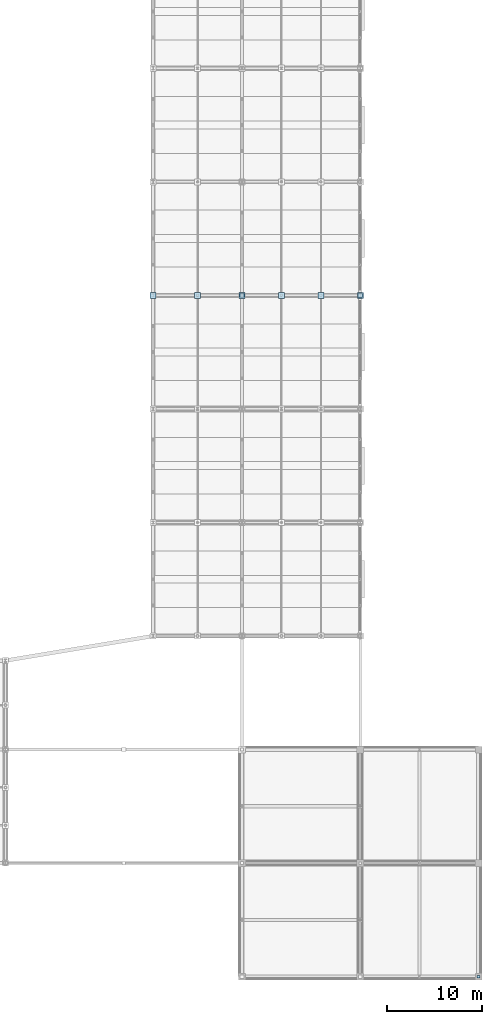
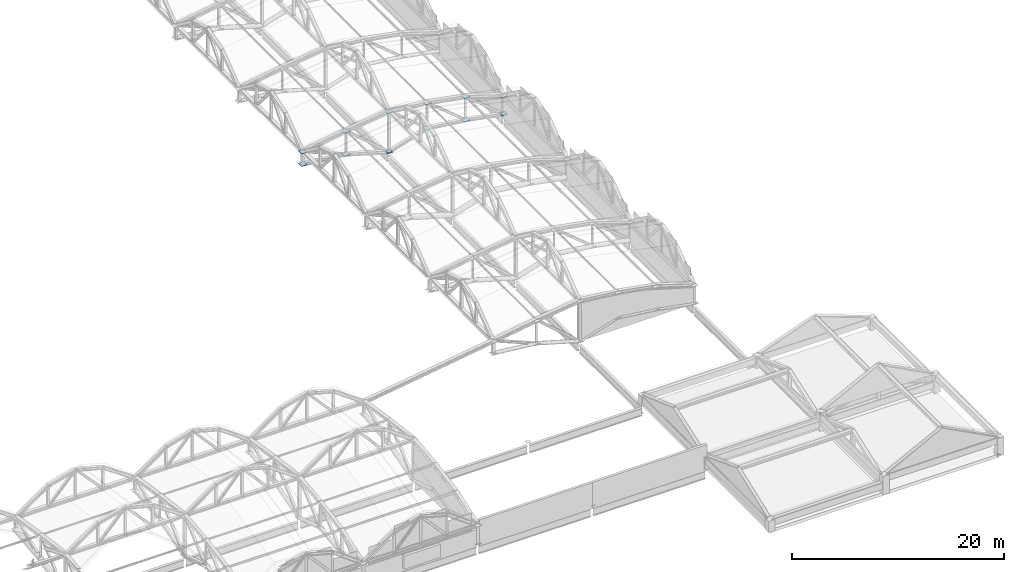
# One storey, part 104 of 117: 15 plates.
"""IFC4 building model written with IfcOpenShell, lengths in metres."""

from ifc_helpers import new_model, si_unit, direction, frame, origin, origin_2d, place, context, subcontext, project, spatial, rectangle, extrude, material, layer, layer_set, type_object, element, save


model = new_model("IFC4")

# Units and contexts
model_context = context("Model", 3, precision=1e-05, world=origin(), true_north=direction((0.0, 1.0)))
body_context = subcontext(model_context, "Body", "Model", "MODEL_VIEW")
ifc_project = project(units=[si_unit("LENGTHUNIT", "METRE"), si_unit("AREAUNIT", "SQUARE_METRE"), si_unit("VOLUMEUNIT", "CUBIC_METRE"), si_unit("PLANEANGLEUNIT", "RADIAN"), si_unit("MASSUNIT", "GRAM", prefix="KILO")], contexts=[model_context])

# Site, building, storey
site_placement = place(None, origin())
site = spatial("IfcSite", under=ifc_project, at=site_placement, CompositionType="ELEMENT")
building_placement = place(site_placement, origin())
building = spatial("IfcBuilding", under=site, at=building_placement, Name="Kazenohara Klinker Stadium", CompositionType="ELEMENT")
storey_placement = place(building_placement, frame((0.0, 0.0, 31.199951171875)))
storey = spatial("IfcBuildingStorey", under=building, at=storey_placement, Name="RF", CompositionType="ELEMENT", Elevation=31.199951171875)

# Plates
ifc_material = material(Name="Steel S355", Category="steel")
ifc_layer_1 = layer(ifc_material, 0.02001953125)
ifc_layer_set_1 = layer_set([ifc_layer_1], Name="Steel S355")
plate_type_1 = type_object("IfcPlateType", Name="PLT-GP01", PredefinedType="USERDEFINED", material=ifc_layer_set_1)
plate_1_placement = place(storey_placement, frame((187.5, 84.0, -0.010009765625), z_axis=(0.0, 0.0, 1.0), x_axis=(1.0, 0.0, 0.0)))
element("IfcPlate", 1, at=plate_1_placement, inside=storey, type_object=plate_type_1, Name="Hollow column end-cap plate GP01 RF 16/H", ObjectType="GUSSET PLATE", PredefinedType="USERDEFINED", context=body_context, shape_type="SweptSolid", body=[
    extrude(rectangle(XDim=0.43994140625, YDim=0.43994140625, at=origin_2d()), origin(), (0.0, 0.0, 1.0), 0.02001953125),
])
plate_2_placement = place(storey_placement, frame((200.0, 12.0, -0.010009765625), z_axis=(0.0, 0.0, 1.0), x_axis=(1.0, 0.0, 0.0)))
element("IfcPlate", 2, at=plate_2_placement, inside=storey, type_object=plate_type_1, Name="Hollow column end-cap plate GP01 RF 17/B", ObjectType="GUSSET PLATE", PredefinedType="USERDEFINED", context=body_context, shape_type="SweptSolid", body=[
    extrude(rectangle(XDim=0.2900390625, YDim=0.2900390625, at=origin_2d()), origin(), (0.0, 0.0, 1.0), 0.02001953125),
])
for number, where, z_axis, x_axis, name in (
    (3, (179.166748046875, 84.0, 1.239990234375), (0.0, 0.0, 1.0), (1.0, 0.0, 0.0), "ROOF TRUSS RT-E04 node gusset plate BN3"),
    (4, (179.166748046875, 84.0, 4.18994140625), (0.0, 0.0, 1.0), (1.0, 0.0, 0.0), "ROOF TRUSS RT-E04 node gusset plate TN3"),
):
    element("IfcPlate", number, at=place(storey_placement, frame(where, z_axis=z_axis, x_axis=x_axis)), inside=storey, type_object=plate_type_1, Name=name, ObjectType="GUSSET PLATE", PredefinedType="USERDEFINED", context=body_context, shape_type="SweptSolid", body=[
        extrude(rectangle(XDim=0.639892578125, YDim=0.639892578125, at=origin_2d()), origin(), (0.0, 0.0, 1.0), 0.02001953125),
    ])
ifc_layer_2 = layer(ifc_material, 0.02197265625)
ifc_layer_set_2 = layer_set([ifc_layer_2], Name="Steel S355")
plate_type_2 = type_object("IfcPlateType", Name="PLT-GP02", PredefinedType="USERDEFINED", material=ifc_layer_set_2)
plate_3_placement = place(storey_placement, frame((175.0, 84.0, -0.010986328125), z_axis=(0.0, 0.0, 1.0), x_axis=(1.0, 0.0, 0.0)))
element("IfcPlate", 5, at=plate_3_placement, inside=storey, type_object=plate_type_2, Name="Hollow column end-cap plate GP02 RF 15/H", ObjectType="GUSSET PLATE", PredefinedType="USERDEFINED", context=body_context, shape_type="SweptSolid", body=[
    extrude(rectangle(XDim=0.389892578125, YDim=0.389892578125, at=origin_2d()), origin(), (0.0, 0.0, 1.0), 0.02197265625),
])
for number, where, z_axis, x_axis, name in (
    (6, (175.0, 84.0, -0.031005859375), (0.0, 0.0, 1.0), (1.0, 0.0, 0.0), "ROOF TRUSS RT-E04 node gusset plate BN4"),
    (7, (175.0, 84.0, 4.63916015625), (0.0, 0.0, 1.0), (1.0, 0.0, 0.0), "ROOF TRUSS RT-E04 node gusset plate TN4"),
):
    element("IfcPlate", number, at=place(storey_placement, frame(where, z_axis=z_axis, x_axis=x_axis)), inside=storey, type_object=plate_type_2, Name=name, ObjectType="GUSSET PLATE", PredefinedType="USERDEFINED", context=body_context, shape_type="SweptSolid", body=[
        extrude(rectangle(XDim=0.639892578125, YDim=0.639892578125, at=origin_2d()), origin(), (0.0, 0.0, 1.0), 0.02197265625),
    ])
ifc_layer_3 = layer(ifc_material, 0.02392578125)
ifc_layer_set_3 = layer_set([ifc_layer_3], Name="Steel S355")
plate_type_3 = type_object("IfcPlateType", Name="PLT-GP03", PredefinedType="USERDEFINED", material=ifc_layer_set_3)
for number, where, z_axis, x_axis, name in (
    (8, (170.300048828125, 84.0, 1.338134765625), (0.0, 0.0, 1.0), (1.0, 0.0, 0.0), "ROOF TRUSS RT-E04 node gusset plate BN5"),
    (9, (170.300048828125, 84.0, 4.0380859375), (0.0, 0.0, 1.0), (1.0, 0.0, 0.0), "ROOF TRUSS RT-E04 node gusset plate TN5"),
):
    element("IfcPlate", number, at=place(storey_placement, frame(where, z_axis=z_axis, x_axis=x_axis)), inside=storey, type_object=plate_type_3, Name=name, ObjectType="GUSSET PLATE", PredefinedType="USERDEFINED", context=body_context, shape_type="SweptSolid", body=[
        extrude(rectangle(XDim=0.639892578125, YDim=0.639892578125, at=origin_2d()), origin(), (0.0, 0.0, 1.0), 0.02392578125),
    ])
ifc_layer_4 = layer(ifc_material, 0.02490234375)
ifc_layer_set_4 = layer_set([ifc_layer_4], Name="Steel S355")
plate_type_4 = type_object("IfcPlateType", Name="PLT-GP04", PredefinedType="USERDEFINED", material=ifc_layer_set_4)
for number, where, z_axis, x_axis, name in (
    (10, (165.60009765625, 84.0, 1.837646484375), (0.0, 0.0, 1.0), (1.0, 0.0, 0.0), "ROOF TRUSS RT-E04 node gusset plate BN6"),
    (11, (165.60009765625, 84.0, 3.28759765625), (0.0, 0.0, 1.0), (1.0, 0.0, 0.0), "ROOF TRUSS RT-E04 node gusset plate TN6"),
):
    element("IfcPlate", number, at=place(storey_placement, frame(where, z_axis=z_axis, x_axis=x_axis)), inside=storey, type_object=plate_type_4, Name=name, ObjectType="GUSSET PLATE", PredefinedType="USERDEFINED", context=body_context, shape_type="SweptSolid", body=[
        extrude(rectangle(XDim=0.639892578125, YDim=0.639892578125, at=origin_2d()), origin(), (0.0, 0.0, 1.0), 0.02490234375),
    ])
ifc_layer_5 = layer(ifc_material, 0.02587890625)
ifc_layer_set_5 = layer_set([ifc_layer_5], Name="Steel S355")
plate_type_5 = type_object("IfcPlateType", Name="PLT-GP05", PredefinedType="USERDEFINED", material=ifc_layer_set_5)
for number, where, z_axis, x_axis, name in (
    (12, (187.5, 84.0, -0.032958984375), (0.0, 0.0, 1.0), (1.0, 0.0, 0.0), "ROOF TRUSS RT-E04 node gusset plate BN1"),
    (13, (187.5, 84.0, 2.087158203125), (0.0, 0.0, 1.0), (1.0, 0.0, 0.0), "ROOF TRUSS RT-E04 node gusset plate TN1"),
):
    element("IfcPlate", number, at=place(storey_placement, frame(where, z_axis=z_axis, x_axis=x_axis)), inside=storey, type_object=plate_type_5, Name=name, ObjectType="GUSSET PLATE", PredefinedType="USERDEFINED", context=body_context, shape_type="SweptSolid", body=[
        extrude(rectangle(XDim=0.639892578125, YDim=0.639892578125, at=origin_2d()), origin(), (0.0, 0.0, 1.0), 0.02587890625),
    ])
ifc_layer_6 = layer(ifc_material, 0.028076171875)
ifc_layer_set_6 = layer_set([ifc_layer_6], Name="Steel S355")
plate_type_6 = type_object("IfcPlateType", Name="PLT-GP06", PredefinedType="USERDEFINED", material=ifc_layer_set_6)
for number, where, z_axis, x_axis, name in (
    (14, (183.333251953125, 84.0, 0.73583984375), (0.0, 0.0, 1.0), (1.0, 0.0, 0.0), "ROOF TRUSS RT-E04 node gusset plate BN2"),
    (15, (183.333251953125, 84.0, 3.43603515625), (0.0, 0.0, 1.0), (1.0, 0.0, 0.0), "ROOF TRUSS RT-E04 node gusset plate TN2"),
):
    element("IfcPlate", number, at=place(storey_placement, frame(where, z_axis=z_axis, x_axis=x_axis)), inside=storey, type_object=plate_type_6, Name=name, ObjectType="GUSSET PLATE", PredefinedType="USERDEFINED", context=body_context, shape_type="SweptSolid", body=[
        extrude(rectangle(XDim=0.639892578125, YDim=0.639892578125, at=origin_2d()), origin(), (0.0, 0.0, 1.0), 0.028076171875),
    ])

save(model, "model.ifc")
